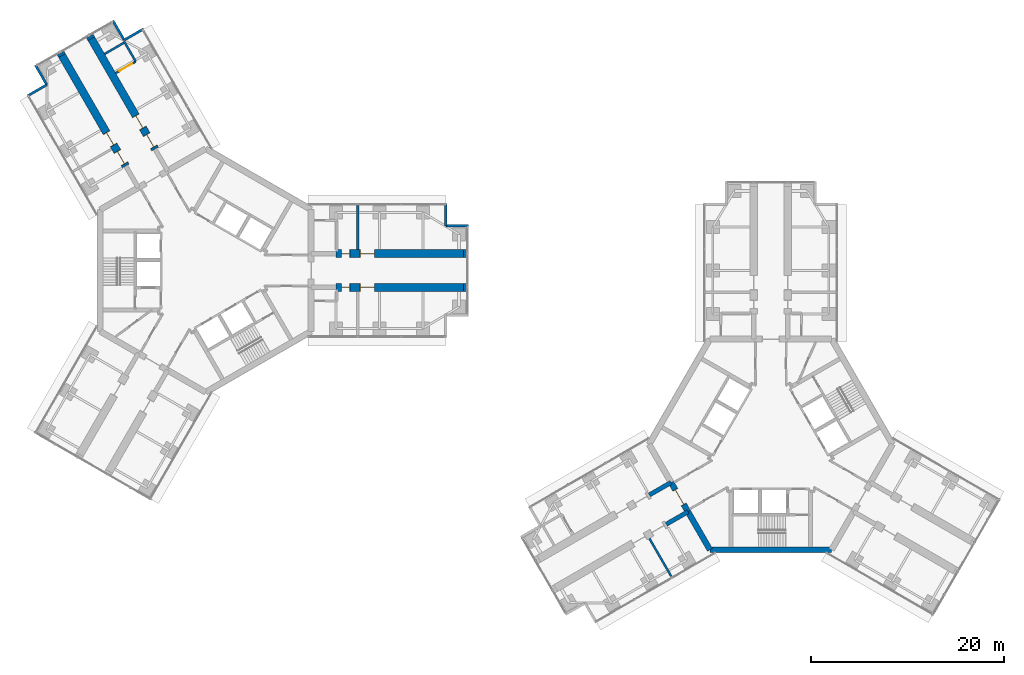
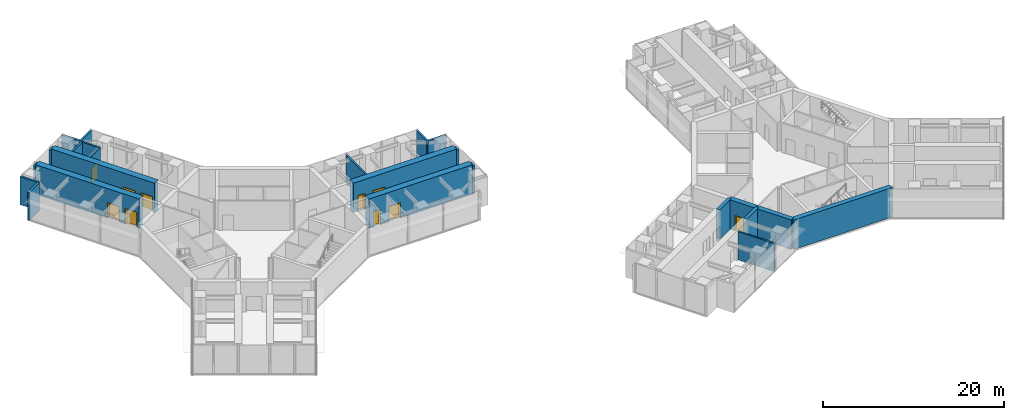
# One storey, part 17 of 21: 24 walls, 10 doors, 10 openings.
"""IFC4 building model written with IfcOpenShell, lengths in metres."""

from ifc_helpers import new_model, si_unit, direction, frame, frame_2d, origin, place, context, subcontext, project, spatial, rectangle, extrude, material, layer, layer_set, type_object, element, fill, save


model = new_model("IFC4")

# Units and contexts
model_context = context("Model", 3, precision=1e-05, world=origin(), true_north=direction((0.0, 1.0)))
body_context = subcontext(model_context, "Body", "Model", "MODEL_VIEW")
ifc_project = project(units=[si_unit("LENGTHUNIT", "METRE"), si_unit("AREAUNIT", "SQUARE_METRE"), si_unit("VOLUMEUNIT", "CUBIC_METRE"), si_unit("PLANEANGLEUNIT", "RADIAN"), si_unit("MASSUNIT", "GRAM", prefix="KILO")], contexts=[model_context])

# Site, building, storey
site_placement = place(None, origin())
site = spatial("IfcSite", under=ifc_project, at=site_placement, CompositionType="ELEMENT")
building_placement = place(site_placement, origin())
building = spatial("IfcBuilding", under=site, at=building_placement, Name="Upepo Twin Towers", CompositionType="ELEMENT")
storey_placement = place(building_placement, frame((0.0, 0.0, 101.5)))
storey = spatial("IfcBuildingStorey", under=building, at=storey_placement, Name="L24", CompositionType="ELEMENT", Elevation=101.5)

# Walls
ifc_material_1 = material(Name="Concrete blockwork, plastered both faces", Category="masonry")
ifc_layer_1 = layer(ifc_material_1, 0.215087890625)
ifc_layer_set_1 = layer_set([ifc_layer_1], Name="Blockwork partition 215")
wall_type_1 = type_object("IfcWallType", Name="Blockwork partition 215", PredefinedType="PARTITIONING", material=ifc_layer_set_1)
wall_1_placement = place(storey_placement, frame((15.75, 2.14990234375, 0.0), z_axis=(0.0, 0.0, 1.0), x_axis=(0.0, 1.0, 0.0)))
element("IfcWall", 1, at=wall_1_placement, inside=storey, type_object=wall_type_1, Name="T1 partition AL at 15.75", PredefinedType="PARTITIONING", context=body_context, shape_type="SweptSolid", body=[
    extrude(rectangle(XDim=4.60009765625, YDim=0.215087890625, at=frame_2d((2.300048828125, 0.0))), origin(), (0.0, 0.0, 1.0), 3.800048828125),
])
wall_2_placement = place(storey_placement, frame((-7.234619140625, 21.630615234375, 0.0), z_axis=(0.0, 0.0, 1.0), x_axis=(-0.499957262057, 0.866050077142, 0.0)))
element("IfcWall", 2, at=wall_2_placement, inside=storey, type_object=wall_type_1, Name="T1 inner room partition BR at 22.35", PredefinedType="PARTITIONING", context=body_context, shape_type="SweptSolid", body=[
    extrude(rectangle(XDim=2.400146484375, YDim=0.215087890625, at=frame_2d((1.2001953125, 0.0))), origin(), (0.0, 0.0, 1.0), 3.800048828125),
])

# Wall, opening, door
wall_3_placement = place(storey_placement, frame((-9.31298828125, 20.4306640625, 0.0), z_axis=(0.0, 0.0, 1.0), x_axis=(0.866024647952, 0.500001309137, 0.0)))
wall_3 = element("IfcWall", 3, at=wall_3_placement, inside=storey, type_object=wall_type_1, Name="T1 inner room partition BR end at 22.35", PredefinedType="PARTITIONING", context=body_context, shape_type="SweptSolid", body=[
    extrude(rectangle(XDim=2.39990234375, YDim=0.215087890625, at=frame_2d((1.199951171875, 0.0))), origin(), (0.0, 0.0, 1.0), 3.800048828125),
])
opening_1_placement = place(wall_3_placement, frame((0.449951171875, 0.0, 0.0)))
opening_1 = element("IfcOpeningElement", 4, at=opening_1_placement, cuts=wall_3, Name="Opening D13", PredefinedType="OPENING", context=body_context, shape_type="SweptSolid", body=[
    extrude(rectangle(XDim=1.5, YDim=2.10009765625, at=frame_2d((0.75, 1.050048828125))), frame((0.0, 0.117431640625, 0.0), z_axis=(0.0, -1.0, 0.0), x_axis=(1.0, 0.0, 0.0)), (0.0, 0.0, 1.0), 0.235107421875),
])
ifc_material_2 = material(Name="Timber doorset", Category="wood")
door_type_1 = type_object("IfcDoorType", Name="Double door 1500 FD30", OperationType="DOUBLE_DOOR_SINGLE_SWING", PredefinedType="DOOR", material=ifc_material_2)
door_1_placement = place(opening_1_placement, origin())
door_1 = element("IfcDoor", 5, at=door_1_placement, inside=storey, type_object=door_type_1, Name="T1 L24 inner room door", OperationType="DOUBLE_DOOR_SINGLE_SWING", OverallHeight=2.10009765625, OverallWidth=1.5, PredefinedType="DOOR", context=body_context, shape_type="SweptSolid", body=[
    extrude(rectangle(XDim=1.5, YDim=2.10009765625, at=frame_2d((0.75, 1.050048828125))), frame((0.0, 0.02490234375, 0.0), z_axis=(0.0, -1.0, 0.0), x_axis=(1.0, 0.0, 0.0)), (0.0, 0.0, 1.0), 0.050048828125),
])
fill(opening_1, door_1)

# Walls
wall_4_placement = place(storey_placement, frame((-10.459228515625, 22.416015625, 0.0), z_axis=(0.0, 0.0, 1.0), x_axis=(0.866024647952, 0.500001309137, 0.0)))
element("IfcWall", 6, at=wall_4_placement, inside=storey, type_object=wall_type_1, Name="T1 inner room partition BR end at 24.75", PredefinedType="PARTITIONING", context=body_context, shape_type="SweptSolid", body=[
    extrude(rectangle(XDim=2.39990234375, YDim=0.215087890625, at=frame_2d((1.199951171875, 0.0))), origin(), (0.0, 0.0, 1.0), 3.800048828125),
])
wall_5_placement = place(storey_placement, frame((45.93505859375, -27.737060546875, 0.0), z_axis=(0.0, 0.0, 1.0), x_axis=(0.500014953309, -0.866016770315, 0.0)))
element("IfcWall", 7, at=wall_5_placement, inside=storey, type_object=wall_type_1, Name="T2 partition BL at 15.75", PredefinedType="PARTITIONING", context=body_context, shape_type="SweptSolid", body=[
    extrude(rectangle(XDim=4.599853515625, YDim=0.215087890625, at=frame_2d((2.2998046875, 0.0))), origin(), (0.0, 0.0, 1.0), 3.800048828125),
])
ifc_material_3 = material(Name="Dense concrete blockwork", Category="masonry")
ifc_layer_2 = layer(ifc_material_3, 0.800048828125)
ifc_layer_set_2 = layer_set([ifc_layer_2], Name="Buttress closer 800, blockwork with fire-stopping to the curtain wall")
wall_type_2 = type_object("IfcWallType", Name="Buttress closer 800, blockwork with fire-stopping to the curtain wall", PredefinedType="PARTITIONING", material=ifc_layer_set_2)
for number, where, z_axis, x_axis, name in (
    (8, (26.699951171875, 1.75, 0.0), (0.0, 0.0, 1.0), (1.0, 0.0, 0.0), "T1 L24 wing A buttress closer L"),
    (9, (26.699951171875, -1.75, 0.0), (0.0, 0.0, 1.0), (1.0, 0.0, 0.0), "T1 L24 wing A buttress closer R"),
    (10, (-14.865478515625, 22.247802734375, 0.0), (0.0, 0.0, 1.0), (-0.500426713919, 0.865778900179, 0.0), "T1 L24 wing B buttress closer L"),
):
    element("IfcWall", number, at=place(storey_placement, frame(where, z_axis=z_axis, x_axis=x_axis)), inside=storey, type_object=wall_type_2, Name=name, PredefinedType="PARTITIONING", context=body_context, shape_type="SweptSolid", body=[
        extrude(rectangle(XDim=0.300048828125, YDim=0.800048828125, at=frame_2d((0.14990234375, 0.0))), origin(), (0.0, 0.0, 1.0), 3.800048828125),
    ])
wall_6_placement = place(storey_placement, frame((-11.83447265625, 23.997802734375, 0.0), z_axis=(0.0, 0.0, 1.0), x_axis=(-0.499816412211, 0.866131372301, 0.0)))
element("IfcWall", 11, at=wall_6_placement, inside=storey, type_object=wall_type_2, Name="T1 L24 wing B buttress closer R", PredefinedType="PARTITIONING", context=body_context, shape_type="SweptSolid", body=[
    extrude(rectangle(XDim=0.2998046875, YDim=0.800048828125, at=frame_2d((0.14990234375, 0.0))), origin(), (0.0, 0.0, 1.0), 3.800048828125),
])
ifc_material_4 = material(Name="Concrete C60/75", Category="concrete")
ifc_layer_3 = layer(ifc_material_4, 0.449951171875)
ifc_layer_set_3 = layer_set([ifc_layer_3], Name="Concrete C60/75")
wall_type_3 = type_object("IfcWallType", Name="Buttress wall 450 RC", PredefinedType="SHEAR", material=ifc_layer_set_3)
for number, where, z_axis, x_axis, name in (
    (12, (49.92822265625, -24.9697265625, 0.0), (0.0, 0.0, 1.0), (-0.866031863473, -0.499988811324, 0.0), "T2 wing B buttress wall L"),
    (13, (48.17822265625, -21.938720703125, 0.0), (0.0, 0.0, 1.0), (-0.866072649678, -0.499918158782, 0.0), "T2 wing B buttress wall R"),
):
    element("IfcWall", number, at=place(storey_placement, frame(where, z_axis=z_axis, x_axis=x_axis)), inside=storey, type_object=wall_type_3, Name=name, PredefinedType="SHEAR", context=body_context, shape_type="SweptSolid", body=[
        extrude(rectangle(XDim=2.591796875, YDim=0.449951171875, at=frame_2d((1.2958984375, 0.0))), origin(), (0.0, 0.0, 1.0), 4.0),
    ])

# Wall, openings, doors
ifc_material_5 = material(Name="Concrete C60/75", Category="concrete")
ifc_layer_4 = layer(ifc_material_5, 0.800048828125)
ifc_layer_set_4 = layer_set([ifc_layer_4], Name="Concrete C60/75")
wall_type_4 = type_object("IfcWallType", Name="Buttress wall 800 RC", PredefinedType="SHEAR", material=ifc_layer_set_4)
wall_7_placement = place(storey_placement, frame((13.5, 1.75, 0.0), z_axis=(0.0, 0.0, 1.0), x_axis=(1.0, 0.0, 0.0)))
wall_7 = element("IfcWall", 14, at=wall_7_placement, inside=storey, type_object=wall_type_4, Name="T1 wing A buttress wall L part 2", PredefinedType="SHEAR", context=body_context, shape_type="SweptSolid", body=[
    extrude(rectangle(XDim=13.199951171875, YDim=0.800048828125, at=frame_2d((6.60009765625, 0.0))), origin(), (0.0, 0.0, 1.0), 4.0),
])
opening_2_placement = place(wall_7_placement, frame((0.550048828125, 0.0, 0.0)))
opening_2 = element("IfcOpeningElement", 15, at=opening_2_placement, cuts=wall_7, Name="Opening D11", PredefinedType="OPENING", context=body_context, shape_type="SweptSolid", body=[
    extrude(rectangle(XDim=0.89990234375, YDim=2.10009765625, at=frame_2d((0.449951171875, 1.050048828125))), frame((0.0, 0.409912109375, 0.0), z_axis=(0.0, -1.0, 0.0), x_axis=(1.0, 0.0, 0.0)), (0.0, 0.0, 1.0), 0.820068359375),
])
opening_3_placement = place(wall_7_placement, frame((2.5, 0.0, 0.0)))
opening_3 = element("IfcOpeningElement", 16, at=opening_3_placement, cuts=wall_7, Name="Opening D13", PredefinedType="OPENING", context=body_context, shape_type="SweptSolid", body=[
    extrude(rectangle(XDim=1.5, YDim=2.10009765625, at=frame_2d((0.75, 1.050048828125))), frame((0.0, 0.409912109375, 0.0), z_axis=(0.0, -1.0, 0.0), x_axis=(1.0, 0.0, 0.0)), (0.0, 0.0, 1.0), 0.820068359375),
])
door_2_placement = place(opening_3_placement, origin())
door_2 = element("IfcDoor", 17, at=door_2_placement, inside=storey, type_object=door_type_1, Name="T1 L24 research laboratory door", OperationType="DOUBLE_DOOR_SINGLE_SWING", OverallHeight=2.10009765625, OverallWidth=1.5, PredefinedType="DOOR", context=body_context, shape_type="SweptSolid", body=[
    extrude(rectangle(XDim=1.42, YDim=2.06009765625, at=frame_2d((0.75, 1.030029296875))), frame((0.0, 0.02490234375, 0.0), z_axis=(0.0, -1.0, 0.0), x_axis=(1.0, 0.0, 0.0)), (0.0, 0.0, 1.0), 0.050048828125),
    extrude(rectangle(XDim=0.04, YDim=2.10009765625, at=frame_2d((0.02001953125, 1.050048828125))), frame((0.0, 0.39990234375, 0.0), z_axis=(0.0, -1.0, 0.0), x_axis=(1.0, 0.0, 0.0)), (0.0, 0.0, 1.0), 0.799560546875),
    extrude(rectangle(XDim=0.04, YDim=2.10009765625, at=frame_2d((1.47998046875, 1.050048828125))), frame((0.0, 0.39990234375, 0.0), z_axis=(0.0, -1.0, 0.0), x_axis=(1.0, 0.0, 0.0)), (0.0, 0.0, 1.0), 0.799560546875),
    extrude(rectangle(XDim=1.42, YDim=0.04, at=frame_2d((0.75, 2.080078125))), frame((0.0, 0.39990234375, 0.0), z_axis=(0.0, -1.0, 0.0), x_axis=(1.0, 0.0, 0.0)), (0.0, 0.0, 1.0), 0.799560546875),
])
fill(opening_3, door_2)
ifc_material_6 = material(Name="Timber doorset", Category="wood")
door_type_2 = type_object("IfcDoorType", Name="Toilet door 900", OperationType="SINGLE_SWING_LEFT", PredefinedType="DOOR", material=ifc_material_6)
door_3_placement = place(opening_2_placement, origin())
door_3 = element("IfcDoor", 18, at=door_3_placement, inside=storey, type_object=door_type_2, Name="T1 L24 accessible wc door", OperationType="SINGLE_SWING_LEFT", OverallHeight=2.10009765625, OverallWidth=0.89990234375, PredefinedType="DOOR", context=body_context, shape_type="SweptSolid", body=[
    extrude(rectangle(XDim=0.81990234375, YDim=2.06009765625, at=frame_2d((0.449951171875, 1.030029296875))), frame((0.0, 0.02490234375, 0.0), z_axis=(0.0, -1.0, 0.0), x_axis=(1.0, 0.0, 0.0)), (0.0, 0.0, 1.0), 0.050048828125),
    extrude(rectangle(XDim=0.04, YDim=2.10009765625, at=frame_2d((0.02001953125, 1.050048828125))), frame((0.0, 0.39990234375, 0.0), z_axis=(0.0, -1.0, 0.0), x_axis=(1.0, 0.0, 0.0)), (0.0, 0.0, 1.0), 0.799560546875),
    extrude(rectangle(XDim=0.04, YDim=2.10009765625, at=frame_2d((0.8798828125, 1.050048828125))), frame((0.0, 0.39990234375, 0.0), z_axis=(0.0, -1.0, 0.0), x_axis=(1.0, 0.0, 0.0)), (0.0, 0.0, 1.0), 0.799560546875),
    extrude(rectangle(XDim=0.81990234375, YDim=0.04, at=frame_2d((0.449951171875, 2.080078125))), frame((0.0, 0.39990234375, 0.0), z_axis=(0.0, -1.0, 0.0), x_axis=(1.0, 0.0, 0.0)), (0.0, 0.0, 1.0), 0.799560546875),
])
fill(opening_2, door_3)

wall_8_placement = place(storey_placement, frame((13.5, -1.75, 0.0), z_axis=(0.0, 0.0, 1.0), x_axis=(1.0, 0.0, 0.0)))
wall_8 = element("IfcWall", 19, at=wall_8_placement, inside=storey, type_object=wall_type_4, Name="T1 wing A buttress wall R part 2", PredefinedType="SHEAR", context=body_context, shape_type="SweptSolid", body=[
    extrude(rectangle(XDim=13.199951171875, YDim=0.800048828125, at=frame_2d((6.60009765625, 0.0))), origin(), (0.0, 0.0, 1.0), 4.0),
])
opening_4_placement = place(wall_8_placement, frame((0.550048828125, 0.0, 0.0)))
opening_4 = element("IfcOpeningElement", 20, at=opening_4_placement, cuts=wall_8, Name="Opening D11", PredefinedType="OPENING", context=body_context, shape_type="SweptSolid", body=[
    extrude(rectangle(XDim=0.89990234375, YDim=2.10009765625, at=frame_2d((0.449951171875, 1.050048828125))), frame((0.0, 0.409912109375, 0.0), z_axis=(0.0, -1.0, 0.0), x_axis=(1.0, 0.0, 0.0)), (0.0, 0.0, 1.0), 0.820068359375),
])
opening_5_placement = place(wall_8_placement, frame((2.5, 0.0, 0.0)))
opening_5 = element("IfcOpeningElement", 21, at=opening_5_placement, cuts=wall_8, Name="Opening D13", PredefinedType="OPENING", context=body_context, shape_type="SweptSolid", body=[
    extrude(rectangle(XDim=1.5, YDim=2.10009765625, at=frame_2d((0.75, 1.050048828125))), frame((0.0, 0.409912109375, 0.0), z_axis=(0.0, -1.0, 0.0), x_axis=(1.0, 0.0, 0.0)), (0.0, 0.0, 1.0), 0.820068359375),
])
door_4_placement = place(opening_5_placement, origin())
door_4 = element("IfcDoor", 22, at=door_4_placement, inside=storey, type_object=door_type_1, Name="T1 L24 research laboratory door", OperationType="DOUBLE_DOOR_SINGLE_SWING", OverallHeight=2.10009765625, OverallWidth=1.5, PredefinedType="DOOR", context=body_context, shape_type="SweptSolid", body=[
    extrude(rectangle(XDim=1.42, YDim=2.06009765625, at=frame_2d((0.75, 1.030029296875))), frame((0.0, 0.02490234375, 0.0), z_axis=(0.0, -1.0, 0.0), x_axis=(1.0, 0.0, 0.0)), (0.0, 0.0, 1.0), 0.050048828125),
    extrude(rectangle(XDim=0.04, YDim=2.10009765625, at=frame_2d((0.02001953125, 1.050048828125))), frame((0.0, 0.39990234375, 0.0), z_axis=(0.0, -1.0, 0.0), x_axis=(1.0, 0.0, 0.0)), (0.0, 0.0, 1.0), 0.799560546875),
    extrude(rectangle(XDim=0.04, YDim=2.10009765625, at=frame_2d((1.47998046875, 1.050048828125))), frame((0.0, 0.39990234375, 0.0), z_axis=(0.0, -1.0, 0.0), x_axis=(1.0, 0.0, 0.0)), (0.0, 0.0, 1.0), 0.799560546875),
    extrude(rectangle(XDim=1.42, YDim=0.04, at=frame_2d((0.75, 2.080078125))), frame((0.0, 0.39990234375, 0.0), z_axis=(0.0, -1.0, 0.0), x_axis=(1.0, 0.0, 0.0)), (0.0, 0.0, 1.0), 0.799560546875),
])
fill(opening_5, door_4)
door_5_placement = place(opening_4_placement, origin())
door_5 = element("IfcDoor", 23, at=door_5_placement, inside=storey, type_object=door_type_2, Name="T1 L24 toilets door", OperationType="SINGLE_SWING_LEFT", OverallHeight=2.10009765625, OverallWidth=0.89990234375, PredefinedType="DOOR", context=body_context, shape_type="SweptSolid", body=[
    extrude(rectangle(XDim=0.81990234375, YDim=2.06009765625, at=frame_2d((0.449951171875, 1.030029296875))), frame((0.0, 0.02490234375, 0.0), z_axis=(0.0, -1.0, 0.0), x_axis=(1.0, 0.0, 0.0)), (0.0, 0.0, 1.0), 0.050048828125),
    extrude(rectangle(XDim=0.04, YDim=2.10009765625, at=frame_2d((0.02001953125, 1.050048828125))), frame((0.0, 0.39990234375, 0.0), z_axis=(0.0, -1.0, 0.0), x_axis=(1.0, 0.0, 0.0)), (0.0, 0.0, 1.0), 0.799560546875),
    extrude(rectangle(XDim=0.04, YDim=2.10009765625, at=frame_2d((0.8798828125, 1.050048828125))), frame((0.0, 0.39990234375, 0.0), z_axis=(0.0, -1.0, 0.0), x_axis=(1.0, 0.0, 0.0)), (0.0, 0.0, 1.0), 0.799560546875),
    extrude(rectangle(XDim=0.81990234375, YDim=0.04, at=frame_2d((0.449951171875, 2.080078125))), frame((0.0, 0.39990234375, 0.0), z_axis=(0.0, -1.0, 0.0), x_axis=(1.0, 0.0, 0.0)), (0.0, 0.0, 1.0), 0.799560546875),
])
fill(opening_4, door_5)

wall_9_placement = place(storey_placement, frame((-8.265625, 10.81640625, 0.0), z_axis=(0.0, 0.0, 1.0), x_axis=(-0.499996231654, 0.866027579429, 0.0)))
wall_9 = element("IfcWall", 24, at=wall_9_placement, inside=storey, type_object=wall_type_4, Name="T1 wing B buttress wall L part 2", PredefinedType="SHEAR", context=body_context, shape_type="SweptSolid", body=[
    extrude(rectangle(XDim=13.19970703125, YDim=0.800048828125, at=frame_2d((6.599853515625, 0.0))), origin(), (0.0, 0.0, 1.0), 4.0),
])
opening_6_placement = place(wall_9_placement, frame((0.25, 0.0, 0.0)))
opening_6 = element("IfcOpeningElement", 25, at=opening_6_placement, cuts=wall_9, Name="Opening D13", PredefinedType="OPENING", context=body_context, shape_type="SweptSolid", body=[
    extrude(rectangle(XDim=1.5, YDim=2.10009765625, at=frame_2d((0.75, 1.050048828125))), frame((0.0, 0.409912109375, 0.0), z_axis=(0.0, -1.0, 0.0), x_axis=(1.0, 0.0, 0.0)), (0.0, 0.0, 1.0), 0.820068359375),
])
opening_7_placement = place(wall_9_placement, frame((2.5, 0.0, 0.0)))
opening_7 = element("IfcOpeningElement", 26, at=opening_7_placement, cuts=wall_9, Name="Opening D13", PredefinedType="OPENING", context=body_context, shape_type="SweptSolid", body=[
    extrude(rectangle(XDim=1.5, YDim=2.10009765625, at=frame_2d((0.75, 1.050048828125))), frame((0.0, 0.409912109375, 0.0), z_axis=(0.0, -1.0, 0.0), x_axis=(1.0, 0.0, 0.0)), (0.0, 0.0, 1.0), 0.820068359375),
])
door_6_placement = place(opening_6_placement, origin())
door_6 = element("IfcDoor", 27, at=door_6_placement, inside=storey, type_object=door_type_1, Name="T1 L24 instrument room door", OperationType="DOUBLE_DOOR_SINGLE_SWING", OverallHeight=2.10009765625, OverallWidth=1.5, PredefinedType="DOOR", context=body_context, shape_type="SweptSolid", body=[
    extrude(rectangle(XDim=1.42, YDim=2.06009765625, at=frame_2d((0.75, 1.030029296875))), frame((0.0, 0.02490234375, 0.0), z_axis=(0.0, -1.0, 0.0), x_axis=(1.0, 0.0, 0.0)), (0.0, 0.0, 1.0), 0.050048828125),
    extrude(rectangle(XDim=0.04, YDim=2.10009765625, at=frame_2d((0.02001953125, 1.050048828125))), frame((0.0, 0.39990234375, 0.0), z_axis=(0.0, -1.0, 0.0), x_axis=(1.0, 0.0, 0.0)), (0.0, 0.0, 1.0), 0.799560546875),
    extrude(rectangle(XDim=0.04, YDim=2.10009765625, at=frame_2d((1.47998046875, 1.050048828125))), frame((0.0, 0.39990234375, 0.0), z_axis=(0.0, -1.0, 0.0), x_axis=(1.0, 0.0, 0.0)), (0.0, 0.0, 1.0), 0.799560546875),
    extrude(rectangle(XDim=1.42, YDim=0.04, at=frame_2d((0.75, 2.080078125))), frame((0.0, 0.39990234375, 0.0), z_axis=(0.0, -1.0, 0.0), x_axis=(1.0, 0.0, 0.0)), (0.0, 0.0, 1.0), 0.799560546875),
])
fill(opening_6, door_6)
door_7_placement = place(opening_7_placement, origin())
door_7 = element("IfcDoor", 28, at=door_7_placement, inside=storey, type_object=door_type_1, Name="T1 L24 research laboratory door", OperationType="DOUBLE_DOOR_SINGLE_SWING", OverallHeight=2.10009765625, OverallWidth=1.5, PredefinedType="DOOR", context=body_context, shape_type="SweptSolid", body=[
    extrude(rectangle(XDim=1.42, YDim=2.06009765625, at=frame_2d((0.75, 1.030029296875))), frame((0.0, 0.02490234375, 0.0), z_axis=(0.0, -1.0, 0.0), x_axis=(1.0, 0.0, 0.0)), (0.0, 0.0, 1.0), 0.050048828125),
    extrude(rectangle(XDim=0.04, YDim=2.10009765625, at=frame_2d((0.02001953125, 1.050048828125))), frame((0.0, 0.39990234375, 0.0), z_axis=(0.0, -1.0, 0.0), x_axis=(1.0, 0.0, 0.0)), (0.0, 0.0, 1.0), 0.799560546875),
    extrude(rectangle(XDim=0.04, YDim=2.10009765625, at=frame_2d((1.47998046875, 1.050048828125))), frame((0.0, 0.39990234375, 0.0), z_axis=(0.0, -1.0, 0.0), x_axis=(1.0, 0.0, 0.0)), (0.0, 0.0, 1.0), 0.799560546875),
    extrude(rectangle(XDim=1.42, YDim=0.04, at=frame_2d((0.75, 2.080078125))), frame((0.0, 0.39990234375, 0.0), z_axis=(0.0, -1.0, 0.0), x_axis=(1.0, 0.0, 0.0)), (0.0, 0.0, 1.0), 0.799560546875),
])
fill(opening_7, door_7)

wall_10_placement = place(storey_placement, frame((-5.234375, 12.56640625, 0.0), z_axis=(0.0, 0.0, 1.0), x_axis=(-0.500010103361, 0.866019570528, 0.0)))
wall_10 = element("IfcWall", 29, at=wall_10_placement, inside=storey, type_object=wall_type_4, Name="T1 wing B buttress wall R part 2", PredefinedType="SHEAR", context=body_context, shape_type="SweptSolid", body=[
    extrude(rectangle(XDim=13.199951171875, YDim=0.800048828125, at=frame_2d((6.60009765625, 0.0))), origin(), (0.0, 0.0, 1.0), 4.0),
])
opening_8_placement = place(wall_10_placement, frame((0.25, 0.0, 0.0)))
opening_8 = element("IfcOpeningElement", 30, at=opening_8_placement, cuts=wall_10, Name="Opening D13", PredefinedType="OPENING", context=body_context, shape_type="SweptSolid", body=[
    extrude(rectangle(XDim=1.5, YDim=2.10009765625, at=frame_2d((0.75, 1.050048828125))), frame((0.0, 0.409912109375, 0.0), z_axis=(0.0, -1.0, 0.0), x_axis=(1.0, 0.0, 0.0)), (0.0, 0.0, 1.0), 0.820068359375),
])
opening_9_placement = place(wall_10_placement, frame((2.5, 0.0, 0.0)))
opening_9 = element("IfcOpeningElement", 31, at=opening_9_placement, cuts=wall_10, Name="Opening D13", PredefinedType="OPENING", context=body_context, shape_type="SweptSolid", body=[
    extrude(rectangle(XDim=1.5, YDim=2.10009765625, at=frame_2d((0.75, 1.050048828125))), frame((0.0, 0.409912109375, 0.0), z_axis=(0.0, -1.0, 0.0), x_axis=(1.0, 0.0, 0.0)), (0.0, 0.0, 1.0), 0.820068359375),
])
door_8_placement = place(opening_8_placement, origin())
door_8 = element("IfcDoor", 32, at=door_8_placement, inside=storey, type_object=door_type_1, Name="T1 L24 research laboratory door", OperationType="DOUBLE_DOOR_SINGLE_SWING", OverallHeight=2.10009765625, OverallWidth=1.5, PredefinedType="DOOR", context=body_context, shape_type="SweptSolid", body=[
    extrude(rectangle(XDim=1.42, YDim=2.06009765625, at=frame_2d((0.75, 1.030029296875))), frame((0.0, 0.02490234375, 0.0), z_axis=(0.0, -1.0, 0.0), x_axis=(1.0, 0.0, 0.0)), (0.0, 0.0, 1.0), 0.050048828125),
    extrude(rectangle(XDim=0.04, YDim=2.10009765625, at=frame_2d((0.02001953125, 1.050048828125))), frame((0.0, 0.39990234375, 0.0), z_axis=(0.0, -1.0, 0.0), x_axis=(1.0, 0.0, 0.0)), (0.0, 0.0, 1.0), 0.799560546875),
    extrude(rectangle(XDim=0.04, YDim=2.10009765625, at=frame_2d((1.47998046875, 1.050048828125))), frame((0.0, 0.39990234375, 0.0), z_axis=(0.0, -1.0, 0.0), x_axis=(1.0, 0.0, 0.0)), (0.0, 0.0, 1.0), 0.799560546875),
    extrude(rectangle(XDim=1.42, YDim=0.04, at=frame_2d((0.75, 2.080078125))), frame((0.0, 0.39990234375, 0.0), z_axis=(0.0, -1.0, 0.0), x_axis=(1.0, 0.0, 0.0)), (0.0, 0.0, 1.0), 0.799560546875),
])
fill(opening_8, door_8)
door_9_placement = place(opening_9_placement, origin())
door_9 = element("IfcDoor", 33, at=door_9_placement, inside=storey, type_object=door_type_1, Name="T1 L24 research laboratory door", OperationType="DOUBLE_DOOR_SINGLE_SWING", OverallHeight=2.10009765625, OverallWidth=1.5, PredefinedType="DOOR", context=body_context, shape_type="SweptSolid", body=[
    extrude(rectangle(XDim=1.42, YDim=2.06009765625, at=frame_2d((0.75, 1.030029296875))), frame((0.0, 0.02490234375, 0.0), z_axis=(0.0, -1.0, 0.0), x_axis=(1.0, 0.0, 0.0)), (0.0, 0.0, 1.0), 0.050048828125),
    extrude(rectangle(XDim=0.04, YDim=2.10009765625, at=frame_2d((0.02001953125, 1.050048828125))), frame((0.0, 0.39990234375, 0.0), z_axis=(0.0, -1.0, 0.0), x_axis=(1.0, 0.0, 0.0)), (0.0, 0.0, 1.0), 0.799560546875),
    extrude(rectangle(XDim=0.04, YDim=2.10009765625, at=frame_2d((1.47998046875, 1.050048828125))), frame((0.0, 0.39990234375, 0.0), z_axis=(0.0, -1.0, 0.0), x_axis=(1.0, 0.0, 0.0)), (0.0, 0.0, 1.0), 0.799560546875),
    extrude(rectangle(XDim=1.42, YDim=0.04, at=frame_2d((0.75, 2.080078125))), frame((0.0, 0.39990234375, 0.0), z_axis=(0.0, -1.0, 0.0), x_axis=(1.0, 0.0, 0.0)), (0.0, 0.0, 1.0), 0.799560546875),
])
fill(opening_9, door_9)

# Wall, opening, door
ifc_material_7 = material(Name="Concrete C60/75", Category="concrete")
ifc_layer_5 = layer(ifc_material_7, 0.60009765625)
ifc_layer_set_5 = layer_set([ifc_layer_5], Name="Concrete C60/75")
wall_type_5 = type_object("IfcWallType", Name="Core wall 600 RC", PredefinedType="SHEAR", material=ifc_layer_set_5)
wall_11_placement = place(storey_placement, frame((48.17822265625, -21.938720703125, 0.0), z_axis=(0.0, 0.0, 1.0), x_axis=(0.500010275428, -0.866019471182, 0.0)))
wall_11 = element("IfcWall", 34, at=wall_11_placement, inside=storey, type_object=wall_type_5, Name="T2 core wall 120", PredefinedType="SHEAR", context=body_context, shape_type="SweptSolid", body=[
    extrude(rectangle(XDim=3.5, YDim=0.60009765625, at=frame_2d((1.75, 0.0))), origin(), (0.0, 0.0, 1.0), 4.0),
])
opening_10_placement = place(wall_11_placement, frame((0.85009765625, 0.0, 0.0)))
opening_10 = element("IfcOpeningElement", 35, at=opening_10_placement, cuts=wall_11, Name="Opening D2", PredefinedType="OPENING", context=body_context, shape_type="SweptSolid", body=[
    extrude(rectangle(XDim=1.800048828125, YDim=2.10009765625, at=frame_2d((0.89990234375, 1.050048828125))), frame((0.0, 0.31005859375, 0.0), z_axis=(0.0, -1.0, 0.0), x_axis=(1.0, 0.0, 0.0)), (0.0, 0.0, 1.0), 0.6201171875),
])
ifc_material_8 = material(Name="Timber doorset", Category="wood")
door_type_3 = type_object("IfcDoorType", Name="Corridor double door 1800 FD60", OperationType="DOUBLE_DOOR_DOUBLE_SWING", PredefinedType="DOOR", material=ifc_material_8)
door_10_placement = place(opening_10_placement, origin())
door_10 = element("IfcDoor", 36, at=door_10_placement, inside=storey, type_object=door_type_3, Name="T2 L24 wing B corridor door", OperationType="DOUBLE_DOOR_DOUBLE_SWING", OverallHeight=2.10009765625, OverallWidth=1.800048828125, PredefinedType="DOOR", context=body_context, shape_type="SweptSolid", body=[
    extrude(rectangle(XDim=1.720048828125, YDim=2.06009765625, at=frame_2d((0.89990234375, 1.030029296875))), frame((0.0, 0.02490234375, 0.0), z_axis=(0.0, -1.0, 0.0), x_axis=(1.0, 0.0, 0.0)), (0.0, 0.0, 1.0), 0.050048828125),
    extrude(rectangle(XDim=0.04, YDim=2.10009765625, at=frame_2d((0.02001953125, 1.050048828125))), frame((0.0, 0.2998046875, 0.0), z_axis=(0.0, -1.0, 0.0), x_axis=(1.0, 0.0, 0.0)), (0.0, 0.0, 1.0), 0.599609375),
    extrude(rectangle(XDim=0.04, YDim=2.10009765625, at=frame_2d((1.780029296875, 1.050048828125))), frame((0.0, 0.2998046875, 0.0), z_axis=(0.0, -1.0, 0.0), x_axis=(1.0, 0.0, 0.0)), (0.0, 0.0, 1.0), 0.599609375),
    extrude(rectangle(XDim=1.720048828125, YDim=0.04, at=frame_2d((0.89990234375, 2.080078125))), frame((0.0, 0.2998046875, 0.0), z_axis=(0.0, -1.0, 0.0), x_axis=(1.0, 0.0, 0.0)), (0.0, 0.0, 1.0), 0.599609375),
])
fill(opening_10, door_10)

# Walls
wall_12_placement = place(storey_placement, frame((49.92822265625, -24.9697265625, 0.0), z_axis=(0.0, 0.0, 1.0), x_axis=(0.499984222037, -0.866034513004, 0.0)))
element("IfcWall", 37, at=wall_12_placement, inside=storey, type_object=wall_type_5, Name="T2 core wall 120 L", PredefinedType="SHEAR", context=body_context, shape_type="SweptSolid", body=[
    extrude(rectangle(XDim=4.548095703125, YDim=0.60009765625, at=frame_2d((2.27392578125, 0.0))), origin(), (0.0, 0.0, 1.0), 4.0),
])
wall_13_placement = place(storey_placement, frame((52.2021484375, -28.908447265625, 0.0), z_axis=(0.0, 0.0, 1.0), x_axis=(1.0, 0.0, 0.0)))
element("IfcWall", 38, at=wall_13_placement, inside=storey, type_object=wall_type_5, Name="T2 core wall 180", PredefinedType="SHEAR", context=body_context, shape_type="SweptSolid", body=[
    extrude(rectangle(XDim=12.595703125, YDim=0.60009765625, at=frame_2d((6.2978515625, 0.0))), origin(), (0.0, 0.0, 1.0), 4.0),
])
ifc_material_9 = material(Name="Blockwork with anodised aluminium cladding", Category="masonry")
ifc_layer_6 = layer(ifc_material_9, 0.25)
ifc_layer_set_6 = layer_set([ifc_layer_6], Name="Notch cladding wall 250, pale metal")
wall_type_6 = type_object("IfcWallType", Name="Notch cladding wall 250, pale metal", PredefinedType="STANDARD", material=ifc_layer_set_6)
for number, where, z_axis, x_axis, name in (
    (39, (24.875, 6.949951171875, 0.0), (0.0, 0.0, 1.0), (0.0, -1.0, 0.0), "T1 L24 wing A notch wall L1"),
    (40, (24.875, 4.625, 0.0), (0.0, 0.0, 1.0), (1.0, 0.0, 0.0), "T1 L24 wing A notch wall L2"),
    (41, (-18.456298828125, 18.0673828125, 0.0), (0.0, 0.0, 1.0), (0.865998469481, 0.500046648681, 0.0), "T1 L24 wing B notch wall L1"),
    (42, (-16.44287109375, 19.22998046875, 0.0), (0.0, 0.0, 1.0), (-0.500046648681, 0.865998469481, 0.0), "T1 L24 wing B notch wall L2"),
    (43, (-6.418701171875, 25.017333984375, 0.0), (0.0, 0.0, 1.0), (-0.866043940782, -0.499967891604, 0.0), "T1 L24 wing B notch wall R1"),
    (44, (-8.43212890625, 23.85498046875, 0.0), (0.0, 0.0, 1.0), (-0.500046648681, 0.865998469481, 0.0), "T1 L24 wing B notch wall R2"),
):
    element("IfcWall", number, at=place(storey_placement, frame(where, z_axis=z_axis, x_axis=x_axis)), inside=storey, type_object=wall_type_6, Name=name, PredefinedType="STANDARD", context=body_context, shape_type="SweptSolid", body=[
        extrude(rectangle(XDim=2.324951171875, YDim=0.25, at=frame_2d((1.16259765625, 0.0))), origin(), (0.0, 0.0, 1.0), 3.800048828125),
    ])

save(model, "model.ifc")
